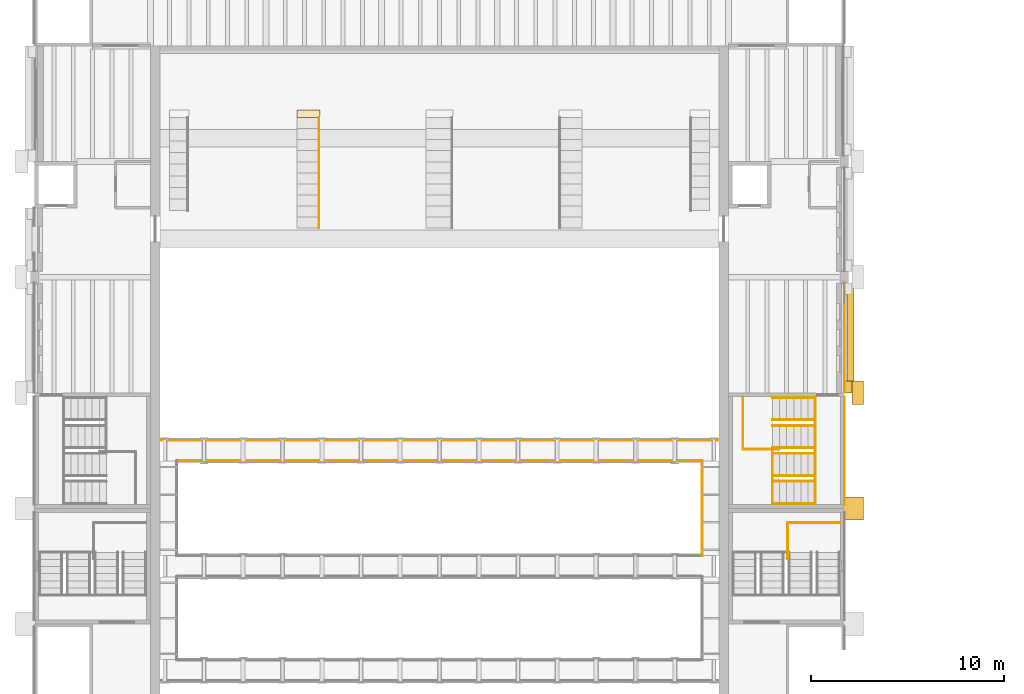
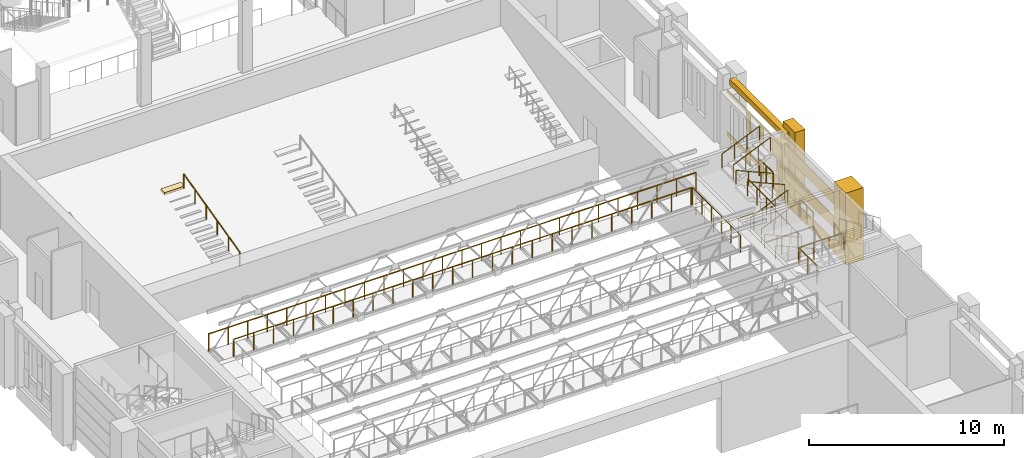
# One storey, part 62 of 70: 20 railings, 16 coverings.
"""IFC4 building model written with IfcOpenShell, lengths in metres."""

from ifc_helpers import new_model, si_unit, direction, frame, origin, origin_2d, place, context, subcontext, project, spatial, polyline, rectangle, circle, outline, extrude, material, layer, layer_set, type_object, element, save


model = new_model("IFC4")

# Units and contexts
model_context = context("Model", 3, precision=1e-05, world=origin(), true_north=direction((0.0, 1.0)))
body_context = subcontext(model_context, "Body", "Model", "MODEL_VIEW")
ifc_project = project(units=[si_unit("LENGTHUNIT", "METRE"), si_unit("AREAUNIT", "SQUARE_METRE"), si_unit("VOLUMEUNIT", "CUBIC_METRE"), si_unit("PLANEANGLEUNIT", "RADIAN"), si_unit("MASSUNIT", "GRAM", prefix="KILO")], contexts=[model_context])

# Site, building, storey
site_placement = place(None, origin())
site = spatial("IfcSite", under=ifc_project, at=site_placement, CompositionType="ELEMENT")
building_placement = place(site_placement, origin())
building = spatial("IfcBuilding", under=site, at=building_placement, Name="Saffron Lane Theatres", CompositionType="ELEMENT")
storey_placement = place(building_placement, frame((0.0, 0.0, 12.0)))
storey = spatial("IfcBuildingStorey", under=building, at=storey_placement, Name="L02", CompositionType="ELEMENT", Elevation=12.0)

# Coverings
ifc_material_1 = material(Name="Masonry sandstone", Category="masonry")
ifc_layer_1 = layer(ifc_material_1, 0.0400390625)
ifc_layer_set_1 = layer_set([ifc_layer_1], Name="Masonry sandstone")
covering_type_1 = type_object("IfcCoveringType", Name="EX-BANDING COURSE SANDSTONE 40", PredefinedType="CLADDING", material=ifc_layer_set_1)
for number, where, z_axis, x_axis, name in (
    (1, (54.02001953125, 69.0, 0.0), (0.0, 0.0, 1.0), (0.0, 1.0, 0.0), "Banding course L02"),
    (2, (54.02001953125, 69.0, 1.5), (0.0, 0.0, 1.0), (0.0, 1.0, 0.0), "Banding course L02"),
    (3, (54.02001953125, 69.0, 3.0), (0.0, 0.0, 1.0), (0.0, 1.0, 0.0), "Banding course L02"),
):
    element("IfcCovering", number, at=place(storey_placement, frame(where, z_axis=z_axis, x_axis=x_axis)), inside=storey, type_object=covering_type_1, Name=name, PredefinedType="CLADDING", context=body_context, shape_type="SweptSolid", body=[
        extrude(rectangle(XDim=5.60009765625, YDim=0.0400390625, at=origin_2d()), origin(), (0.0, 0.0, 1.0), 0.75),
    ])
ifc_material_2 = material(Name="Face brick cladding, pale buff", Category="masonry")
ifc_layer_2 = layer(ifc_material_2, 0.0400390625)
ifc_layer_set_2 = layer_set([ifc_layer_2], Name="Face brick cladding, pale buff")
covering_type_2 = type_object("IfcCoveringType", Name="EX-FACE BRICK CLADDING PALE BUFF 40", PredefinedType="CLADDING", material=ifc_layer_set_2)
for number, where, z_axis, x_axis, name in (
    (4, (54.02001953125, 75.52490234375, 0.14990234375), (0.0, 0.0, 1.0), (0.0, -1.0, 0.0), "Cladding course L02"),
    (5, (54.02001953125, 74.175048828125, 0.14990234375), (0.0, 0.0, 1.0), (0.0, -1.0, 0.0), "Cladding course L02"),
):
    element("IfcCovering", number, at=place(storey_placement, frame(where, z_axis=z_axis, x_axis=x_axis)), inside=storey, type_object=covering_type_2, Name=name, PredefinedType="CLADDING", context=body_context, shape_type="SweptSolid", body=[
        extrude(rectangle(XDim=0.4599609375, YDim=0.0400390625, at=origin_2d()), origin(), (0.0, 0.0, 1.0), 1.050048828125),
    ])
covering_1_placement = place(storey_placement, frame((54.02001953125, 72.528076171875, 0.14990234375), z_axis=(0.0, 0.0, 1.0), x_axis=(0.0, -1.0, 0.0)))
element("IfcCovering", 6, at=covering_1_placement, inside=storey, type_object=covering_type_2, Name="Cladding course L02", PredefinedType="CLADDING", context=body_context, shape_type="SweptSolid", body=[
    extrude(rectangle(XDim=1.054931640625, YDim=0.0400390625, at=origin_2d()), origin(), (0.0, 0.0, 1.0), 1.050048828125),
])
for number, where, z_axis, x_axis, name in (
    (7, (54.02001953125, 75.52490234375, 2.25), (0.0, 0.0, 1.0), (0.0, -1.0, 0.0), "Cladding course L02"),
    (8, (54.02001953125, 74.175048828125, 2.25), (0.0, 0.0, 1.0), (0.0, -1.0, 0.0), "Cladding course L02"),
):
    element("IfcCovering", number, at=place(storey_placement, frame(where, z_axis=z_axis, x_axis=x_axis)), inside=storey, type_object=covering_type_2, Name=name, PredefinedType="CLADDING", context=body_context, shape_type="SweptSolid", body=[
        extrude(rectangle(XDim=0.4599609375, YDim=0.0400390625, at=origin_2d()), origin(), (0.0, 0.0, 1.0), 1.050048828125),
    ])
covering_2_placement = place(storey_placement, frame((54.02001953125, 72.528076171875, 2.25), z_axis=(0.0, 0.0, 1.0), x_axis=(0.0, -1.0, 0.0)))
element("IfcCovering", 9, at=covering_2_placement, inside=storey, type_object=covering_type_2, Name="Cladding course L02", PredefinedType="CLADDING", context=body_context, shape_type="SweptSolid", body=[
    extrude(rectangle(XDim=1.054931640625, YDim=0.0400390625, at=origin_2d()), origin(), (0.0, 0.0, 1.0), 1.050048828125),
])
ifc_material_3 = material(Name="Masonry sandstone", Category="masonry")
ifc_layer_3 = layer(ifc_material_3, 1.199951171875)
ifc_layer_set_3 = layer_set([ifc_layer_3], Name="Masonry sandstone")
covering_type_3 = type_object("IfcCoveringType", Name="EX-FLANK BUTTRESS PIER SANDSTONE 1200", PredefinedType="CLADDING", material=ifc_layer_set_3)
covering_3_placement = place(storey_placement, frame((54.47509765625, 66.0, 0.0), z_axis=(0.0, 0.0, 1.0), x_axis=(0.0, 1.0, 0.0)))
element("IfcCovering", 10, at=covering_3_placement, inside=storey, type_object=covering_type_3, Name="Flank buttress east L02", PredefinedType="CLADDING", context=body_context, shape_type="SweptSolid", body=[
    extrude(rectangle(XDim=1.199951171875, YDim=1.050048828125, at=origin_2d()), origin(), (0.0, 0.0, 1.0), 4.5),
])
covering_4_placement = place(storey_placement, frame((54.699951171875, 72.0, 0.0), z_axis=(0.0, 0.0, 1.0), x_axis=(0.0, 1.0, 0.0)))
element("IfcCovering", 11, at=covering_4_placement, inside=storey, type_object=covering_type_3, Name="Flank buttress east L02", PredefinedType="CLADDING", context=body_context, shape_type="SweptSolid", body=[
    extrude(rectangle(XDim=1.199951171875, YDim=0.60009765625, at=origin_2d()), origin(), (0.0, 0.0, 1.0), 4.5),
])
ifc_material_4 = material(Name="Masonry sandstone", Category="masonry")
ifc_layer_4 = layer(ifc_material_4, 0.0400390625)
ifc_layer_set_4 = layer_set([ifc_layer_4], Name="Masonry sandstone")
covering_type_4 = type_object("IfcCoveringType", Name="EX-HEAD COURSE SANDSTONE 150", PredefinedType="CLADDING", material=ifc_layer_set_4)
covering_5_placement = place(storey_placement, frame((54.02001953125, 74.85009765625, 3.35009765625), z_axis=(0.0, 0.0, 1.0), x_axis=(0.0, -1.0, 0.0)))
element("IfcCovering", 12, at=covering_5_placement, inside=storey, type_object=covering_type_4, Name="Facade head course L02", PredefinedType="CLADDING", context=body_context, shape_type="SweptSolid", body=[
    extrude(rectangle(XDim=5.699951171875, YDim=0.0400390625, at=origin_2d()), origin(), (0.0, 0.0, 1.0), 0.14990234375),
])
ifc_material_5 = material(Name="Masonry sandstone", Category="masonry")
ifc_layer_5 = layer(ifc_material_5, 0.39990234375)
ifc_layer_set_5 = layer_set([ifc_layer_5], Name="Masonry sandstone")
covering_type_5 = type_object("IfcCoveringType", Name="EX-PILASTER PIER SANDSTONE 400", PredefinedType="CLADDING", material=ifc_layer_set_5)
covering_6_placement = place(storey_placement, frame((54.199951171875, 72.300048828125, 0.0), z_axis=(0.0, 0.0, 1.0), x_axis=(0.0, -1.0, 0.0)))
element("IfcCovering", 13, at=covering_6_placement, inside=storey, type_object=covering_type_5, Name="Pilaster pier L02", PredefinedType="CLADDING", context=body_context, shape_type="SweptSolid", body=[
    extrude(rectangle(XDim=0.60009765625, YDim=0.39990234375, at=origin_2d()), origin(), (0.0, 0.0, 1.0), 3.550048828125),
])
ifc_material_6 = material(Name="Masonry sandstone", Category="masonry")
ifc_layer_6 = layer(ifc_material_6, 0.0400390625)
ifc_layer_set_6 = layer_set([ifc_layer_6], Name="Masonry sandstone")
covering_type_6 = type_object("IfcCoveringType", Name="EX-SILL COURSE SANDSTONE 250", PredefinedType="CLADDING", material=ifc_layer_set_6)
covering_7_placement = place(storey_placement, frame((54.02001953125, 74.85009765625, 0.64990234375), z_axis=(0.0, 0.0, 1.0), x_axis=(0.0, -1.0, 0.0)))
element("IfcCovering", 14, at=covering_7_placement, inside=storey, type_object=covering_type_6, Name="Facade sill course L02", PredefinedType="CLADDING", context=body_context, shape_type="SweptSolid", body=[
    extrude(rectangle(XDim=5.699951171875, YDim=0.0400390625, at=origin_2d()), origin(), (0.0, 0.0, 1.0), 0.25),
])
ifc_material_7 = material(Name="Masonry sandstone", Category="masonry")
ifc_layer_7 = layer(ifc_material_7, 0.300048828125)
ifc_layer_set_7 = layer_set([ifc_layer_7], Name="Masonry sandstone")
covering_type_7 = type_object("IfcCoveringType", Name="EX-STRING COURSE SANDSTONE 350", PredefinedType="CLADDING", material=ifc_layer_set_7)
covering_8_placement = place(storey_placement, frame((54.324951171875, 74.85009765625, 3.800048828125), z_axis=(0.0, 0.0, 1.0), x_axis=(0.0, -1.0, 0.0)))
element("IfcCovering", 15, at=covering_8_placement, inside=storey, type_object=covering_type_7, Name="String course L02", PredefinedType="CLADDING", context=body_context, shape_type="SweptSolid", body=[
    extrude(rectangle(XDim=5.699951171875, YDim=0.35009765625, at=origin_2d()), origin(), (0.0, 0.0, 1.0), 0.35009765625),
])
ifc_material_8 = material(Name="Cement screed", Category="screed")
covering_type_8 = type_object("IfcCoveringType", Name="VC-AISLE PLATFORM", PredefinedType="FLOORING", material=ifc_material_8)
covering_9_placement = place(storey_placement, frame((0.0, 0.0, 1.64501953125)))
element("IfcCovering", 16, at=covering_9_placement, inside=storey, type_object=covering_type_8, Name="Dress Circle aisle 2 landing 1", PredefinedType="FLOORING", context=body_context, shape_type="SweptSolid", body=[
    extrude(outline(polyline([(25.60009765625, 86.278076171875), (26.800048828125, 86.278076171875), (26.800048828125, 86.677978515625), (25.60009765625, 86.677978515625), (25.60009765625, 86.278076171875)])), origin(), (0.0, 0.0, 1.0), 0.157958984375),
])

# Railings
ifc_material_9 = material(Name="Steel Grade 350", Category="steel")
railing_type_1 = type_object("IfcRailingType", Name="VC-GUARD 1100", PredefinedType="GUARDRAIL", material=ifc_material_9)
railing_1_placement = place(storey_placement, frame((48.75, 69.10009765625, 1.125)))
element("IfcRailing", 17, at=railing_1_placement, inside=storey, type_object=railing_type_1, Name="Auditorium East Rear Stair landing guard 3N1s", PredefinedType="GUARDRAIL", context=body_context, shape_type="SweptSolid", body=[
    extrude(circle(Radius=0.02392578125, at=origin_2d()), frame((0.0, 0.0, 1.076171875), z_axis=(0.0, 1.0, 0.0), x_axis=(-1.0, 0.0, 0.0)), (0.0, 0.0, 1.0), 2.669921875),
    extrude(circle(Radius=0.02099609375, at=origin_2d()), origin(), (0.0, 0.0, 1.0), 1.052001953125),
    extrude(circle(Radius=0.02099609375, at=origin_2d()), frame((0.0, 0.889892578125, 0.0)), (0.0, 0.0, 1.0), 1.052001953125),
    extrude(circle(Radius=0.02099609375, at=origin_2d()), frame((0.0, 1.780029296875, 0.0)), (0.0, 0.0, 1.0), 1.052001953125),
    extrude(circle(Radius=0.02099609375, at=origin_2d()), frame((0.0, 2.669921875, 0.0)), (0.0, 0.0, 1.0), 1.052001953125),
])
railing_2_placement = place(storey_placement, frame((50.6298828125, 69.070068359375, 1.125)))
element("IfcRailing", 18, at=railing_2_placement, inside=storey, type_object=railing_type_1, Name="Auditorium East Rear Stair landing guard 3N1e", PredefinedType="GUARDRAIL", context=body_context, shape_type="SweptSolid", body=[
    extrude(circle(Radius=0.02392578125, at=origin_2d()), frame((0.0, 0.0, 1.076171875), z_axis=(-1.0, 0.0, 0.0), x_axis=(0.0, -1.0, 0.0)), (0.0, 0.0, 1.0), 1.8798828125),
    extrude(circle(Radius=0.02099609375, at=origin_2d()), origin(), (0.0, 0.0, 1.0), 1.052001953125),
    extrude(circle(Radius=0.02099609375, at=origin_2d()), frame((-0.93994140625, 0.0, 0.0)), (0.0, 0.0, 1.0), 1.052001953125),
    extrude(circle(Radius=0.02099609375, at=origin_2d()), frame((-1.8798828125, 0.0, 0.0)), (0.0, 0.0, 1.0), 1.052001953125),
])
railing_3_placement = place(storey_placement, frame((50.280029296875, 66.22998046875, 3.375)))
element("IfcRailing", 19, at=railing_3_placement, inside=storey, type_object=railing_type_1, Name="Auditorium East Rear Stair landing guard 3N2s", PredefinedType="GUARDRAIL", context=body_context, shape_type="SweptSolid", body=[
    extrude(circle(Radius=0.02392578125, at=origin_2d()), frame((0.0, 0.0, 1.076171875), z_axis=(0.0, 1.0, 0.0), x_axis=(-1.0, 0.0, 0.0)), (0.0, 0.0, 1.0), 2.8701171875),
    extrude(circle(Radius=0.02099609375, at=origin_2d()), origin(), (0.0, 0.0, 1.0), 1.052001953125),
    extrude(circle(Radius=0.02099609375, at=origin_2d()), frame((0.0, 0.956787109375, 0.0)), (0.0, 0.0, 1.0), 1.052001953125),
    extrude(circle(Radius=0.02099609375, at=origin_2d()), frame((0.0, 1.913330078125, 0.0)), (0.0, 0.0, 1.0), 1.052001953125),
    extrude(circle(Radius=0.02099609375, at=origin_2d()), frame((0.0, 2.8701171875, 0.0)), (0.0, 0.0, 1.0), 1.052001953125),
])
railing_4_placement = place(storey_placement, frame((52.5, 66.22998046875, 2.25)))
element("IfcRailing", 20, at=railing_4_placement, inside=storey, type_object=railing_type_1, Name="Auditorium East Rear Stair landing guard 3S2w", PredefinedType="GUARDRAIL", context=body_context, shape_type="SweptSolid", body=[
    extrude(circle(Radius=0.02392578125, at=origin_2d()), frame((0.0, 0.0, 1.076171875), z_axis=(0.0, 1.0, 0.0), x_axis=(-1.0, 0.0, 0.0)), (0.0, 0.0, 1.0), 1.320068359375),
    extrude(circle(Radius=0.02099609375, at=origin_2d()), origin(), (0.0, 0.0, 1.0), 1.052001953125),
    extrude(circle(Radius=0.02099609375, at=origin_2d()), frame((0.0, 0.66015625, 0.0)), (0.0, 0.0, 1.0), 1.052001953125),
    extrude(circle(Radius=0.02099609375, at=origin_2d()), frame((0.0, 1.320068359375, 0.0)), (0.0, 0.0, 1.0), 1.052001953125),
])
railing_5_placement = place(storey_placement, frame((52.5, 70.35009765625, 2.25)))
element("IfcRailing", 21, at=railing_5_placement, inside=storey, type_object=railing_type_1, Name="Auditorium East Rear Stair landing guard 3S2e", PredefinedType="GUARDRAIL", context=body_context, shape_type="SweptSolid", body=[
    extrude(circle(Radius=0.02392578125, at=origin_2d()), frame((0.0, 0.0, 1.076171875), z_axis=(0.0, 1.0, 0.0), x_axis=(-1.0, 0.0, 0.0)), (0.0, 0.0, 1.0), 1.419921875),
    extrude(circle(Radius=0.02099609375, at=origin_2d()), origin(), (0.0, 0.0, 1.0), 1.052001953125),
    extrude(circle(Radius=0.02099609375, at=origin_2d()), frame((0.0, 0.7099609375, 0.0)), (0.0, 0.0, 1.0), 1.052001953125),
    extrude(circle(Radius=0.02099609375, at=origin_2d()), frame((0.0, 1.419921875, 0.0)), (0.0, 0.0, 1.0), 1.052001953125),
])
railing_6_placement = place(storey_placement, frame((52.5, 67.449951171875, 0.0)))
element("IfcRailing", 22, at=railing_6_placement, inside=storey, type_object=railing_type_1, Name="Auditorium East Rear Stair guard L02", PredefinedType="GUARDRAIL", context=body_context, shape_type="SweptSolid", body=[
    extrude(circle(Radius=0.02392578125, at=origin_2d()), frame((0.0, 0.0, 1.076171875), z_axis=(0.0, 1.0, 0.0), x_axis=(-1.0, 0.0, 0.0)), (0.0, 0.0, 1.0), 3.10009765625),
    extrude(circle(Radius=0.02099609375, at=origin_2d()), origin(), (0.0, 0.0, 1.0), 1.052001953125),
    extrude(circle(Radius=0.02099609375, at=origin_2d()), frame((0.0, 1.033447265625, 0.0)), (0.0, 0.0, 1.0), 1.052001953125),
    extrude(circle(Radius=0.02099609375, at=origin_2d()), frame((0.0, 2.066650390625, 0.0)), (0.0, 0.0, 1.0), 1.052001953125),
    extrude(circle(Radius=0.02099609375, at=origin_2d()), frame((0.0, 3.10009765625, 0.0)), (0.0, 0.0, 1.0), 1.052001953125),
])
railing_7_placement = place(storey_placement, frame((51.10009765625, 65.25, 1.125)))
element("IfcRailing", 23, at=railing_7_placement, inside=storey, type_object=railing_type_1, Name="Auditorium East Front Stair landing guard 3N1s", PredefinedType="GUARDRAIL", context=body_context, shape_type="SweptSolid", body=[
    extrude(circle(Radius=0.02392578125, at=origin_2d()), frame((0.0, 0.0, 1.076171875), z_axis=(1.0, 0.0, 0.0), x_axis=(0.0, 1.0, 0.0)), (0.0, 0.0, 1.0), 2.669921875),
    extrude(circle(Radius=0.02099609375, at=origin_2d()), origin(), (0.0, 0.0, 1.0), 1.052001953125),
    extrude(circle(Radius=0.02099609375, at=origin_2d()), frame((0.889892578125, 0.0, 0.0)), (0.0, 0.0, 1.0), 1.052001953125),
    extrude(circle(Radius=0.02099609375, at=origin_2d()), frame((1.780029296875, 0.0, 0.0)), (0.0, 0.0, 1.0), 1.052001953125),
    extrude(circle(Radius=0.02099609375, at=origin_2d()), frame((2.669921875, 0.0, 0.0)), (0.0, 0.0, 1.0), 1.052001953125),
])
railing_8_placement = place(storey_placement, frame((51.070068359375, 63.3701171875, 1.125)))
element("IfcRailing", 24, at=railing_8_placement, inside=storey, type_object=railing_type_1, Name="Auditorium East Front Stair landing guard 3N1e", PredefinedType="GUARDRAIL", context=body_context, shape_type="SweptSolid", body=[
    extrude(circle(Radius=0.02392578125, at=origin_2d()), frame((0.0, 0.0, 1.076171875), z_axis=(0.0, 1.0, 0.0), x_axis=(-1.0, 0.0, 0.0)), (0.0, 0.0, 1.0), 1.8798828125),
    extrude(circle(Radius=0.02099609375, at=origin_2d()), origin(), (0.0, 0.0, 1.0), 1.052001953125),
    extrude(circle(Radius=0.02099609375, at=origin_2d()), frame((0.0, 0.93994140625, 0.0)), (0.0, 0.0, 1.0), 1.052001953125),
    extrude(circle(Radius=0.02099609375, at=origin_2d()), frame((0.0, 1.8798828125, 0.0)), (0.0, 0.0, 1.0), 1.052001953125),
])
ifc_material_10 = material(Name="Steel Grade 350", Category="steel")
railing_type_2 = type_object("IfcRailingType", Name="VC-HANDRAIL 900", PredefinedType="HANDRAIL", material=ifc_material_10)
for number, where, name in (
    (25, (52.5, 66.25, 0.16064453125), "Auditorium East Rear Stair handrail 3.1a"),
    (26, (52.5, 67.39990234375, 0.16064453125), "Auditorium East Rear Stair handrail 3.1b"),
):
    element("IfcRailing", number, at=place(storey_placement, frame(where)), inside=storey, type_object=railing_type_2, Name=name, PredefinedType="HANDRAIL", context=body_context, shape_type="SweptSolid", body=[
        extrude(circle(Radius=0.02392578125, at=origin_2d()), frame((0.0, 0.0, 0.8759765625), z_axis=(-0.917161435653, 0.0, 0.398515872898), x_axis=(0.0, -1.0, 0.0)), (0.0, 0.0, 1.0), 0.806884765625),
        extrude(circle(Radius=0.02392578125, at=origin_2d()), frame((-0.739990234375, 0.0, 1.197265625), z_axis=(-0.917272012673, 0.0, 0.398261289567), x_axis=(0.0, -1.0, 0.0)), (0.0, 0.0, 1.0), 0.806640625),
        extrude(circle(Radius=0.02392578125, at=origin_2d()), frame((-1.47998046875, 0.0, 1.5185546875), z_axis=(-0.917161435653, 0.0, 0.398515872898), x_axis=(0.0, -1.0, 0.0)), (0.0, 0.0, 1.0), 0.806884765625),
        extrude(circle(Radius=0.02099609375, at=origin_2d()), origin(), (0.0, 0.0, 1.0), 0.851806640625),
        extrude(circle(Radius=0.02099609375, at=origin_2d()), frame((-0.739990234375, 0.0, 0.321533203125)), (0.0, 0.0, 1.0), 0.851806640625),
        extrude(circle(Radius=0.02099609375, at=origin_2d()), frame((-1.47998046875, 0.0, 0.642822265625)), (0.0, 0.0, 1.0), 0.851806640625),
        extrude(circle(Radius=0.02099609375, at=origin_2d()), frame((-2.219970703125, 0.0, 0.96435546875)), (0.0, 0.0, 1.0), 0.851806640625),
    ])
for number, where, name in (
    (27, (50.280029296875, 67.699951171875, 1.28564453125), "Auditorium East Rear Stair handrail 3.2a"),
    (28, (50.280029296875, 68.85009765625, 1.28564453125), "Auditorium East Rear Stair handrail 3.2b"),
):
    element("IfcRailing", number, at=place(storey_placement, frame(where)), inside=storey, type_object=railing_type_2, Name=name, PredefinedType="HANDRAIL", context=body_context, shape_type="SweptSolid", body=[
        extrude(circle(Radius=0.02392578125, at=origin_2d()), frame((0.0, 0.0, 0.8759765625), z_axis=(0.917161435653, 0.0, 0.398515872898), x_axis=(0.0, 1.0, 0.0)), (0.0, 0.0, 1.0), 0.806884765625),
        extrude(circle(Radius=0.02392578125, at=origin_2d()), frame((0.739990234375, 0.0, 1.197265625), z_axis=(0.917272012673, 0.0, 0.398261289567), x_axis=(0.0, 1.0, 0.0)), (0.0, 0.0, 1.0), 0.806640625),
        extrude(circle(Radius=0.02392578125, at=origin_2d()), frame((1.47998046875, 0.0, 1.5185546875), z_axis=(0.917161435653, 0.0, 0.398515872898), x_axis=(0.0, 1.0, 0.0)), (0.0, 0.0, 1.0), 0.806884765625),
        extrude(circle(Radius=0.02099609375, at=origin_2d()), origin(), (0.0, 0.0, 1.0), 0.851806640625),
        extrude(circle(Radius=0.02099609375, at=origin_2d()), frame((0.739990234375, 0.0, 0.321533203125)), (0.0, 0.0, 1.0), 0.851806640625),
        extrude(circle(Radius=0.02099609375, at=origin_2d()), frame((1.47998046875, 0.0, 0.642822265625)), (0.0, 0.0, 1.0), 0.851806640625),
        extrude(circle(Radius=0.02099609375, at=origin_2d()), frame((2.219970703125, 0.0, 0.96435546875)), (0.0, 0.0, 1.0), 0.851806640625),
    ])
for number, where, name in (
    (29, (52.5, 69.14990234375, 2.41064453125), "Auditorium East Rear Stair handrail 3.3a"),
    (30, (52.5, 70.300048828125, 2.41064453125), "Auditorium East Rear Stair handrail 3.3b"),
):
    element("IfcRailing", number, at=place(storey_placement, frame(where)), inside=storey, type_object=railing_type_2, Name=name, PredefinedType="HANDRAIL", context=body_context, shape_type="SweptSolid", body=[
        extrude(circle(Radius=0.02392578125, at=origin_2d()), frame((0.0, 0.0, 0.8759765625), z_axis=(-0.917161435653, 0.0, 0.398515872898), x_axis=(0.0, -1.0, 0.0)), (0.0, 0.0, 1.0), 0.806884765625),
        extrude(circle(Radius=0.02392578125, at=origin_2d()), frame((-0.739990234375, 0.0, 1.197265625), z_axis=(-0.917272012673, 0.0, 0.398261289567), x_axis=(0.0, -1.0, 0.0)), (0.0, 0.0, 1.0), 0.806640625),
        extrude(circle(Radius=0.02392578125, at=origin_2d()), frame((-1.47998046875, 0.0, 1.5185546875), z_axis=(-0.917161435653, 0.0, 0.398515872898), x_axis=(0.0, -1.0, 0.0)), (0.0, 0.0, 1.0), 0.806884765625),
        extrude(circle(Radius=0.02099609375, at=origin_2d()), origin(), (0.0, 0.0, 1.0), 0.851806640625),
        extrude(circle(Radius=0.02099609375, at=origin_2d()), frame((-0.739990234375, 0.0, 0.321533203125)), (0.0, 0.0, 1.0), 0.851806640625),
        extrude(circle(Radius=0.02099609375, at=origin_2d()), frame((-1.47998046875, 0.0, 0.642822265625)), (0.0, 0.0, 1.0), 0.851806640625),
        extrude(circle(Radius=0.02099609375, at=origin_2d()), frame((-2.219970703125, 0.0, 0.96435546875)), (0.0, 0.0, 1.0), 0.851806640625),
    ])
for number, where, name in (
    (31, (50.280029296875, 70.60009765625, 3.53564453125), "Auditorium East Rear Stair handrail 3.4a"),
    (32, (50.280029296875, 71.75, 3.53564453125), "Auditorium East Rear Stair handrail 3.4b"),
):
    element("IfcRailing", number, at=place(storey_placement, frame(where)), inside=storey, type_object=railing_type_2, Name=name, PredefinedType="HANDRAIL", context=body_context, shape_type="SweptSolid", body=[
        extrude(circle(Radius=0.02392578125, at=origin_2d()), frame((0.0, 0.0, 0.8759765625), z_axis=(0.917161435653, 0.0, 0.398515872898), x_axis=(0.0, 1.0, 0.0)), (0.0, 0.0, 1.0), 0.806884765625),
        extrude(circle(Radius=0.02392578125, at=origin_2d()), frame((0.739990234375, 0.0, 1.197265625), z_axis=(0.917272012673, 0.0, 0.398261289567), x_axis=(0.0, 1.0, 0.0)), (0.0, 0.0, 1.0), 0.806640625),
        extrude(circle(Radius=0.02392578125, at=origin_2d()), frame((1.47998046875, 0.0, 1.5185546875), z_axis=(0.917161435653, 0.0, 0.398515872898), x_axis=(0.0, 1.0, 0.0)), (0.0, 0.0, 1.0), 0.806884765625),
        extrude(circle(Radius=0.02099609375, at=origin_2d()), origin(), (0.0, 0.0, 1.0), 0.851806640625),
        extrude(circle(Radius=0.02099609375, at=origin_2d()), frame((0.739990234375, 0.0, 0.321533203125)), (0.0, 0.0, 1.0), 0.851806640625),
        extrude(circle(Radius=0.02099609375, at=origin_2d()), frame((1.47998046875, 0.0, 0.642822265625)), (0.0, 0.0, 1.0), 0.851806640625),
        extrude(circle(Radius=0.02099609375, at=origin_2d()), frame((2.219970703125, 0.0, 0.96435546875)), (0.0, 0.0, 1.0), 0.851806640625),
    ])
railing_9_placement = place(storey_placement, frame((26.75, 80.550048828125, 0.2890625)))
element("IfcRailing", 33, at=railing_9_placement, inside=storey, type_object=railing_type_2, Name="Dress Circle aisle 2 handrail", PredefinedType="HANDRAIL", context=body_context, shape_type="SweptSolid", body=[
    extrude(circle(Radius=0.02392578125, at=origin_2d()), frame((0.0, 0.0, 0.8759765625), z_axis=(0.0, 0.971156606232, 0.238442542707), x_axis=(-1.0, 0.0, 0.0)), (0.0, 0.0, 1.0), 1.179443359375),
    extrude(circle(Radius=0.02392578125, at=origin_2d()), frame((0.0, 1.1455078125, 1.1572265625), z_axis=(0.0, 0.971168370579, 0.238394622396), x_axis=(-1.0, 0.0, 0.0)), (0.0, 0.0, 1.0), 1.1796875),
    extrude(circle(Radius=0.02392578125, at=origin_2d()), frame((0.0, 2.291259765625, 1.4384765625), z_axis=(0.0, 0.971204518627, 0.238247314778), x_axis=(-1.0, 0.0, 0.0)), (0.0, 0.0, 1.0), 1.179443359375),
    extrude(circle(Radius=0.02392578125, at=origin_2d()), frame((0.0, 3.436767578125, 1.71923828125), z_axis=(0.0, 0.971156606232, 0.238442542707), x_axis=(-1.0, 0.0, 0.0)), (0.0, 0.0, 1.0), 1.179443359375),
    extrude(circle(Radius=0.02392578125, at=origin_2d()), frame((0.0, 4.582275390625, 2.00048828125), z_axis=(0.0, 0.971168370579, 0.238394622396), x_axis=(-1.0, 0.0, 0.0)), (0.0, 0.0, 1.0), 1.1796875),
    extrude(circle(Radius=0.02099609375, at=origin_2d()), origin(), (0.0, 0.0, 1.0), 0.851806640625),
    extrude(circle(Radius=0.02099609375, at=origin_2d()), frame((0.0, 1.1455078125, 0.28125)), (0.0, 0.0, 1.0), 0.851806640625),
    extrude(circle(Radius=0.02099609375, at=origin_2d()), frame((0.0, 2.291259765625, 0.5625)), (0.0, 0.0, 1.0), 0.851806640625),
    extrude(circle(Radius=0.02099609375, at=origin_2d()), frame((0.0, 3.436767578125, 0.843505859375)), (0.0, 0.0, 1.0), 0.851806640625),
    extrude(circle(Radius=0.02099609375, at=origin_2d()), frame((0.0, 4.582275390625, 1.124755859375)), (0.0, 0.0, 1.0), 0.851806640625),
    extrude(circle(Radius=0.02099609375, at=origin_2d()), frame((0.0, 5.72802734375, 1.406005859375)), (0.0, 0.0, 1.0), 0.851806640625),
])
railing_10_placement = place(storey_placement, frame((19.429931640625, 68.469970703125, 4.5)))
element("IfcRailing", 34, at=railing_10_placement, inside=storey, Name="LR3a", PredefinedType="GUARDRAIL", context=body_context, shape_type="SweptSolid", body=[
    extrude(circle(Radius=0.02392578125, at=origin_2d()), frame((0.0, 0.0, 1.076171875), z_axis=(1.0, 0.0, 0.0), x_axis=(0.0, 1.0, 0.0)), (0.0, 0.0, 1.0), 27.14013671875),
    extrude(circle(Radius=0.02099609375, at=origin_2d()), origin(), (0.0, 0.0, 1.0), 1.052001953125),
    extrude(circle(Radius=0.02099609375, at=origin_2d()), frame((1.179931640625, 0.0, 0.0)), (0.0, 0.0, 1.0), 1.052001953125),
    extrude(circle(Radius=0.02099609375, at=origin_2d()), frame((2.360107421875, 0.0, 0.0)), (0.0, 0.0, 1.0), 1.052001953125),
    extrude(circle(Radius=0.02099609375, at=origin_2d()), frame((3.5400390625, 0.0, 0.0)), (0.0, 0.0, 1.0), 1.052001953125),
    extrude(circle(Radius=0.02099609375, at=origin_2d()), frame((4.719970703125, 0.0, 0.0)), (0.0, 0.0, 1.0), 1.052001953125),
    extrude(circle(Radius=0.02099609375, at=origin_2d()), frame((5.900146484375, 0.0, 0.0)), (0.0, 0.0, 1.0), 1.052001953125),
    extrude(circle(Radius=0.02099609375, at=origin_2d()), frame((7.080078125, 0.0, 0.0)), (0.0, 0.0, 1.0), 1.052001953125),
    extrude(circle(Radius=0.02099609375, at=origin_2d()), frame((8.260009765625, 0.0, 0.0)), (0.0, 0.0, 1.0), 1.052001953125),
    extrude(circle(Radius=0.02099609375, at=origin_2d()), frame((9.43994140625, 0.0, 0.0)), (0.0, 0.0, 1.0), 1.052001953125),
    extrude(circle(Radius=0.02099609375, at=origin_2d()), frame((10.6201171875, 0.0, 0.0)), (0.0, 0.0, 1.0), 1.052001953125),
    extrude(circle(Radius=0.02099609375, at=origin_2d()), frame((11.800048828125, 0.0, 0.0)), (0.0, 0.0, 1.0), 1.052001953125),
    extrude(circle(Radius=0.02099609375, at=origin_2d()), frame((12.97998046875, 0.0, 0.0)), (0.0, 0.0, 1.0), 1.052001953125),
    extrude(circle(Radius=0.02099609375, at=origin_2d()), frame((14.16015625, 0.0, 0.0)), (0.0, 0.0, 1.0), 1.052001953125),
    extrude(circle(Radius=0.02099609375, at=origin_2d()), frame((15.340087890625, 0.0, 0.0)), (0.0, 0.0, 1.0), 1.052001953125),
    extrude(circle(Radius=0.02099609375, at=origin_2d()), frame((16.52001953125, 0.0, 0.0)), (0.0, 0.0, 1.0), 1.052001953125),
    extrude(circle(Radius=0.02099609375, at=origin_2d()), frame((17.7001953125, 0.0, 0.0)), (0.0, 0.0, 1.0), 1.052001953125),
    extrude(circle(Radius=0.02099609375, at=origin_2d()), frame((18.880126953125, 0.0, 0.0)), (0.0, 0.0, 1.0), 1.052001953125),
    extrude(circle(Radius=0.02099609375, at=origin_2d()), frame((20.06005859375, 0.0, 0.0)), (0.0, 0.0, 1.0), 1.052001953125),
    extrude(circle(Radius=0.02099609375, at=origin_2d()), frame((21.239990234375, 0.0, 0.0)), (0.0, 0.0, 1.0), 1.052001953125),
    extrude(circle(Radius=0.02099609375, at=origin_2d()), frame((22.420166015625, 0.0, 0.0)), (0.0, 0.0, 1.0), 1.052001953125),
    extrude(circle(Radius=0.02099609375, at=origin_2d()), frame((23.60009765625, 0.0, 0.0)), (0.0, 0.0, 1.0), 1.052001953125),
    extrude(circle(Radius=0.02099609375, at=origin_2d()), frame((24.780029296875, 0.0, 0.0)), (0.0, 0.0, 1.0), 1.052001953125),
    extrude(circle(Radius=0.02099609375, at=origin_2d()), frame((25.960205078125, 0.0, 0.0)), (0.0, 0.0, 1.0), 1.052001953125),
    extrude(circle(Radius=0.02099609375, at=origin_2d()), frame((27.14013671875, 0.0, 0.0)), (0.0, 0.0, 1.0), 1.052001953125),
])
railing_11_placement = place(storey_placement, frame((18.550048828125, 69.530029296875, 4.5)))
element("IfcRailing", 35, at=railing_11_placement, inside=storey, Name="LR3b", PredefinedType="GUARDRAIL", context=body_context, shape_type="SweptSolid", body=[
    extrude(circle(Radius=0.02392578125, at=origin_2d()), frame((0.0, 0.0, 1.076171875), z_axis=(1.0, 0.0, 0.0), x_axis=(0.0, 1.0, 0.0)), (0.0, 0.0, 1.0), 28.89990234375),
    extrude(circle(Radius=0.02099609375, at=origin_2d()), origin(), (0.0, 0.0, 1.0), 1.052001953125),
    extrude(circle(Radius=0.02099609375, at=origin_2d()), frame((1.156005859375, 0.0, 0.0)), (0.0, 0.0, 1.0), 1.052001953125),
    extrude(circle(Radius=0.02099609375, at=origin_2d()), frame((2.31201171875, 0.0, 0.0)), (0.0, 0.0, 1.0), 1.052001953125),
    extrude(circle(Radius=0.02099609375, at=origin_2d()), frame((3.468017578125, 0.0, 0.0)), (0.0, 0.0, 1.0), 1.052001953125),
    extrude(circle(Radius=0.02099609375, at=origin_2d()), frame((4.6240234375, 0.0, 0.0)), (0.0, 0.0, 1.0), 1.052001953125),
    extrude(circle(Radius=0.02099609375, at=origin_2d()), frame((5.780029296875, 0.0, 0.0)), (0.0, 0.0, 1.0), 1.052001953125),
    extrude(circle(Radius=0.02099609375, at=origin_2d()), frame((6.93603515625, 0.0, 0.0)), (0.0, 0.0, 1.0), 1.052001953125),
    extrude(circle(Radius=0.02099609375, at=origin_2d()), frame((8.092041015625, 0.0, 0.0)), (0.0, 0.0, 1.0), 1.052001953125),
    extrude(circle(Radius=0.02099609375, at=origin_2d()), frame((9.248046875, 0.0, 0.0)), (0.0, 0.0, 1.0), 1.052001953125),
    extrude(circle(Radius=0.02099609375, at=origin_2d()), frame((10.404052734375, 0.0, 0.0)), (0.0, 0.0, 1.0), 1.052001953125),
    extrude(circle(Radius=0.02099609375, at=origin_2d()), frame((11.56005859375, 0.0, 0.0)), (0.0, 0.0, 1.0), 1.052001953125),
    extrude(circle(Radius=0.02099609375, at=origin_2d()), frame((12.716064453125, 0.0, 0.0)), (0.0, 0.0, 1.0), 1.052001953125),
    extrude(circle(Radius=0.02099609375, at=origin_2d()), frame((13.8720703125, 0.0, 0.0)), (0.0, 0.0, 1.0), 1.052001953125),
    extrude(circle(Radius=0.02099609375, at=origin_2d()), frame((15.02783203125, 0.0, 0.0)), (0.0, 0.0, 1.0), 1.052001953125),
    extrude(circle(Radius=0.02099609375, at=origin_2d()), frame((16.183837890625, 0.0, 0.0)), (0.0, 0.0, 1.0), 1.052001953125),
    extrude(circle(Radius=0.02099609375, at=origin_2d()), frame((17.33984375, 0.0, 0.0)), (0.0, 0.0, 1.0), 1.052001953125),
    extrude(circle(Radius=0.02099609375, at=origin_2d()), frame((18.495849609375, 0.0, 0.0)), (0.0, 0.0, 1.0), 1.052001953125),
    extrude(circle(Radius=0.02099609375, at=origin_2d()), frame((19.65185546875, 0.0, 0.0)), (0.0, 0.0, 1.0), 1.052001953125),
    extrude(circle(Radius=0.02099609375, at=origin_2d()), frame((20.807861328125, 0.0, 0.0)), (0.0, 0.0, 1.0), 1.052001953125),
    extrude(circle(Radius=0.02099609375, at=origin_2d()), frame((21.9638671875, 0.0, 0.0)), (0.0, 0.0, 1.0), 1.052001953125),
    extrude(circle(Radius=0.02099609375, at=origin_2d()), frame((23.119873046875, 0.0, 0.0)), (0.0, 0.0, 1.0), 1.052001953125),
    extrude(circle(Radius=0.02099609375, at=origin_2d()), frame((24.27587890625, 0.0, 0.0)), (0.0, 0.0, 1.0), 1.052001953125),
    extrude(circle(Radius=0.02099609375, at=origin_2d()), frame((25.431884765625, 0.0, 0.0)), (0.0, 0.0, 1.0), 1.052001953125),
    extrude(circle(Radius=0.02099609375, at=origin_2d()), frame((26.587890625, 0.0, 0.0)), (0.0, 0.0, 1.0), 1.052001953125),
    extrude(circle(Radius=0.02099609375, at=origin_2d()), frame((27.743896484375, 0.0, 0.0)), (0.0, 0.0, 1.0), 1.052001953125),
    extrude(circle(Radius=0.02099609375, at=origin_2d()), frame((28.89990234375, 0.0, 0.0)), (0.0, 0.0, 1.0), 1.052001953125),
])
railing_12_placement = place(storey_placement, frame((46.6298828125, 63.530029296875, 4.5)))
element("IfcRailing", 36, at=railing_12_placement, inside=storey, Name="CRE2", PredefinedType="GUARDRAIL", context=body_context, shape_type="SweptSolid", body=[
    extrude(circle(Radius=0.02392578125, at=origin_2d()), frame((0.0, 0.0, 1.076171875), z_axis=(0.0, 1.0, 0.0), x_axis=(-1.0, 0.0, 0.0)), (0.0, 0.0, 1.0), 4.93994140625),
    extrude(circle(Radius=0.02099609375, at=origin_2d()), origin(), (0.0, 0.0, 1.0), 1.052001953125),
    extrude(circle(Radius=0.02099609375, at=origin_2d()), frame((0.0, 0.988037109375, 0.0)), (0.0, 0.0, 1.0), 1.052001953125),
    extrude(circle(Radius=0.02099609375, at=origin_2d()), frame((0.0, 1.97607421875, 0.0)), (0.0, 0.0, 1.0), 1.052001953125),
    extrude(circle(Radius=0.02099609375, at=origin_2d()), frame((0.0, 2.9638671875, 0.0)), (0.0, 0.0, 1.0), 1.052001953125),
    extrude(circle(Radius=0.02099609375, at=origin_2d()), frame((0.0, 3.951904296875, 0.0)), (0.0, 0.0, 1.0), 1.052001953125),
    extrude(circle(Radius=0.02099609375, at=origin_2d()), frame((0.0, 4.93994140625, 0.0)), (0.0, 0.0, 1.0), 1.052001953125),
])

save(model, "model.ifc")
